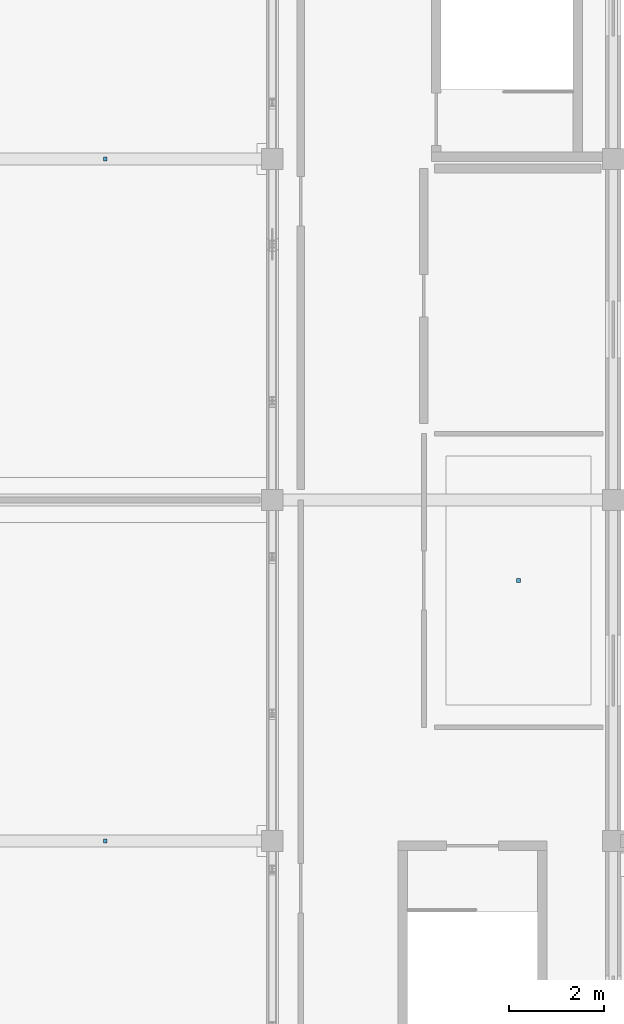
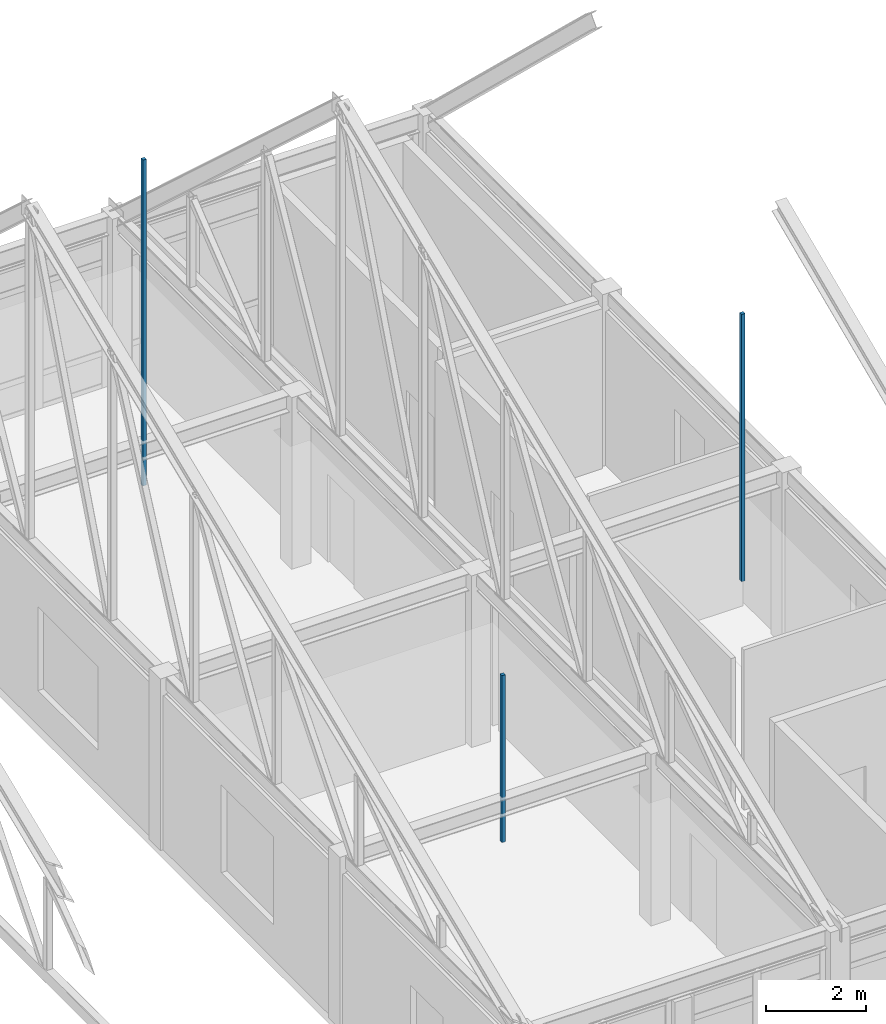
# One storey, part 121 of 136: 3 discrete accessories.
"""IFC4 building model written with IfcOpenShell, lengths in metres."""

from ifc_helpers import new_model, si_unit, direction, frame, origin, origin_2d, place, context, subcontext, project, spatial, rectangle, extrude, material, type_object, element, save


model = new_model("IFC4")

# Units and contexts
model_context = context("Model", 3, precision=1e-05, world=origin(), true_north=direction((0.0, 1.0)))
body_context = subcontext(model_context, "Body", "Model", "MODEL_VIEW")
ifc_project = project(units=[si_unit("LENGTHUNIT", "METRE"), si_unit("AREAUNIT", "SQUARE_METRE"), si_unit("VOLUMEUNIT", "CUBIC_METRE"), si_unit("PLANEANGLEUNIT", "RADIAN"), si_unit("MASSUNIT", "GRAM", prefix="KILO")], contexts=[model_context])

# Site, building, storey
site_placement = place(None, origin())
site = spatial("IfcSite", under=ifc_project, at=site_placement, CompositionType="ELEMENT")
building_placement = place(site_placement, origin())
building = spatial("IfcBuilding", under=site, at=building_placement, Name="Koriwan Promenade Central Fire Station", CompositionType="ELEMENT")
storey_placement = place(building_placement, frame((0.0, 0.0, 5.39990234375)))
storey = spatial("IfcBuildingStorey", under=building, at=storey_placement, Name="L01", CompositionType="ELEMENT", Elevation=5.39990234375)

# Discrete accessories
ifc_material = material(Name="Steel ASTM A572 Grade 50", Category="steel")
discrete_accessory_type = type_object("IfcDiscreteAccessoryType", Name="CeilingHanger_Bracket", PredefinedType="BRACKET", material=ifc_material)
discrete_accessory_1_placement = place(storey_placement, frame((104.472412109375, 50.39990234375, 3.09521484375), z_axis=(0.0, 0.0, 1.0), x_axis=(1.0, 0.0, 0.0)))
element("IfcDiscreteAccessory", 1, at=discrete_accessory_1_placement, inside=storey, type_object=discrete_accessory_type, Name="Command Incident Simulator Studio acoustic ceiling seismic hanger", PredefinedType="BRACKET", context=body_context, shape_type="SweptSolid", body=[
    extrude(rectangle(XDim=0.080078125, YDim=0.080078125, at=origin_2d()), origin(), (0.0, 0.0, 1.0), 4.092041015625),
])
discrete_accessory_2_placement = place(storey_placement, frame((104.472412109375, 64.800048828125, 3.09521484375), z_axis=(0.0, 0.0, 1.0), x_axis=(1.0, 0.0, 0.0)))
element("IfcDiscreteAccessory", 2, at=discrete_accessory_2_placement, inside=storey, type_object=discrete_accessory_type, Name="Hazmat Telemetry Classroom acoustic ceiling seismic hanger", PredefinedType="BRACKET", context=body_context, shape_type="SweptSolid", body=[
    extrude(rectangle(XDim=0.080078125, YDim=0.080078125, at=origin_2d()), origin(), (0.0, 0.0, 1.0), 7.978759765625),
])
discrete_accessory_3_placement = place(storey_placement, frame((113.199951171875, 55.89990234375, 3.094970703125), z_axis=(0.0, 0.0, 1.0), x_axis=(1.0, 0.0, 0.0)))
element("IfcDiscreteAccessory", 3, at=discrete_accessory_3_placement, inside=storey, type_object=discrete_accessory_type, Name="Pump Hydraulics Training Laboratory acoustic ceiling seismic hanger", PredefinedType="BRACKET", context=body_context, shape_type="SweptSolid", body=[
    extrude(rectangle(XDim=0.080078125, YDim=0.080078125, at=origin_2d()), origin(), (0.0, 0.0, 1.0), 6.54443359375),
])

save(model, "model.ifc")
